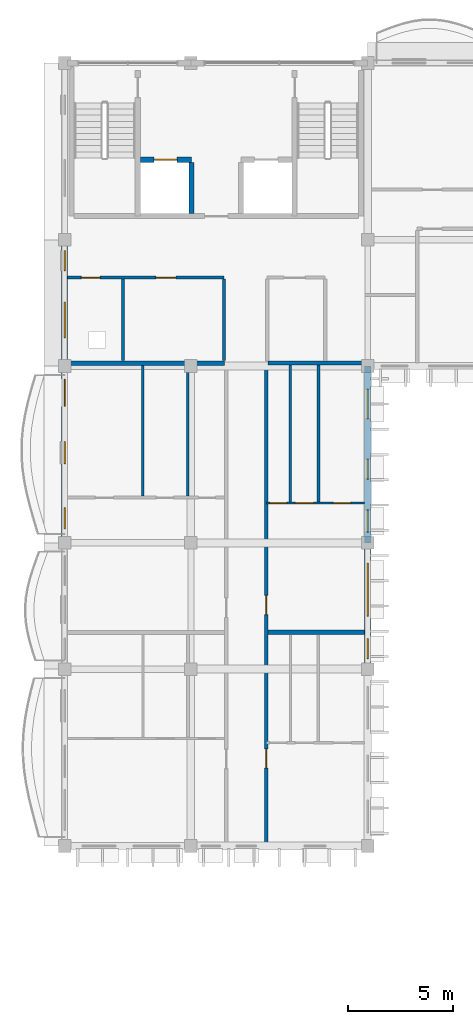
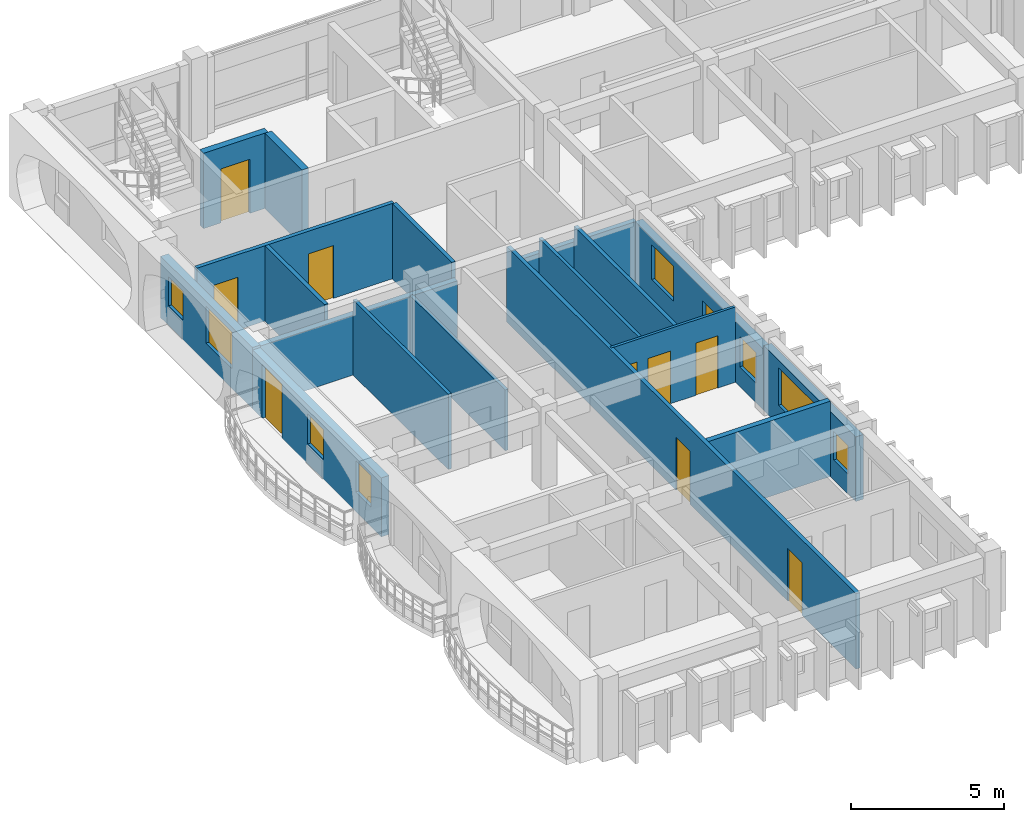
# One storey, part 18 of 59: 18 walls, 9 doors, 9 windows, 18 openings.
"""IFC4 building model written with IfcOpenShell, lengths in metres."""

from ifc_helpers import new_model, si_unit, direction, frame, frame_2d, origin, place, context, subcontext, project, spatial, rectangle, extrude, material, layer, layer_set, type_object, element, fill, save


model = new_model("IFC4")

# Units and contexts
model_context = context("Model", 3, precision=1e-05, world=origin(), true_north=direction((0.0, 1.0)))
body_context = subcontext(model_context, "Body", "Model", "MODEL_VIEW")
ifc_project = project(units=[si_unit("LENGTHUNIT", "METRE"), si_unit("AREAUNIT", "SQUARE_METRE"), si_unit("VOLUMEUNIT", "CUBIC_METRE"), si_unit("PLANEANGLEUNIT", "RADIAN"), si_unit("MASSUNIT", "GRAM", prefix="KILO"), si_unit("THERMODYNAMICTEMPERATUREUNIT", "KELVIN")], contexts=[model_context])

# Site, building, storey
site_placement = place(None, origin())
site = spatial("IfcSite", under=ifc_project, at=site_placement, CompositionType="ELEMENT")
building_placement = place(site_placement, origin())
building = spatial("IfcBuilding", under=site, at=building_placement, Name="Thalorik Housing Commons", CompositionType="ELEMENT")
storey_placement = place(building_placement, frame((0.0, 0.0, 27.89990234375)))
storey = spatial("IfcBuildingStorey", under=building, at=storey_placement, Name="L08", CompositionType="ELEMENT", Elevation=27.89990234375)

# Wall, opening, door
ifc_material_1 = material(Name="Concrete C40/50", Category="concrete")
ifc_layer_1 = layer(ifc_material_1, 0.25, Name="Concrete C40/50", Category="concrete")
ifc_layer_set_1 = layer_set([ifc_layer_1], Name="Concrete C40/50")
wall_type_1 = type_object("IfcWallType", Name="ARC-WAL-CORE-250", PredefinedType="SHEAR", material=ifc_layer_set_1)
wall_1_placement = place(storey_placement, frame((12.0, 119.0, 0.0), z_axis=(0.0, 0.0, 1.0), x_axis=(1.0, 0.0, 0.0)))
wall_1 = element("IfcWall", 1, at=wall_1_placement, inside=storey, type_object=wall_type_1, Name="L08 Lift LF-A1 Front Shaft Wall", PredefinedType="SHEAR", context=body_context, shape_type="SweptSolid", body=[
    extrude(rectangle(XDim=2.425048828125, YDim=0.25, at=frame_2d((1.21240234375, 0.0))), origin(), (0.0, 0.0, 1.0), 3.0),
])
opening_1_placement = place(wall_1_placement, frame((0.64990234375, 0.0, 0.0)))
opening_1 = element("IfcOpeningElement", 2, at=opening_1_placement, cuts=wall_1, Name="Opening LD-LF-A1-L08", PredefinedType="OPENING", context=body_context, shape_type="SweptSolid", body=[
    extrude(rectangle(XDim=1.10009765625, YDim=2.14990234375, at=frame_2d((0.550048828125, 1.074951171875))), frame((0.0, 0.135009765625, 0.0), z_axis=(0.0, -1.0, 0.0), x_axis=(1.0, 0.0, 0.0)), (0.0, 0.0, 1.0), 0.27001953125),
])
ifc_material_2 = material(Name="Steel S355", Category="steel")
door_type_1 = type_object("IfcDoorType", Name="ARC-DR-LIFT-1100", OperationType="NOTDEFINED", PredefinedType="DOOR", material=ifc_material_2)
door_1_placement = place(opening_1_placement, origin())
door_1 = element("IfcDoor", 3, at=door_1_placement, inside=storey, type_object=door_type_1, Name="L08 Lift LF-A1 Landing Door", OperationType="SLIDING_TO_LEFT", OverallHeight=2.14990234375, OverallWidth=1.10009765625, PredefinedType="DOOR", context=body_context, shape_type="SweptSolid", body=[
    extrude(rectangle(XDim=1.10009765625, YDim=2.14990234375, at=frame_2d((0.550048828125, 1.074951171875))), frame((0.0, 0.02490234375, 0.0), z_axis=(0.0, -1.0, 0.0), x_axis=(1.0, 0.0, 0.0)), (0.0, 0.0, 1.0), 0.050048828125),
])
fill(opening_1, door_1)

# Wall
wall_2_placement = place(storey_placement, frame((14.425048828125, 118.875, 0.0), z_axis=(0.0, 0.0, 1.0), x_axis=(0.0, -1.0, 0.0)))
element("IfcWall", 4, at=wall_2_placement, inside=storey, type_object=wall_type_1, Name="L08 Lift 1 Cheek Wall", PredefinedType="SHEAR", context=body_context, shape_type="SweptSolid", body=[
    extrude(rectangle(XDim=2.425048828125, YDim=0.25, at=frame_2d((1.21240234375, 0.0))), origin(), (0.0, 0.0, 1.0), 3.0),
])

# Wall, openings, doors
ifc_material_3 = material(Name="Masonry fire-rated corridor wall", Category="masonry")
ifc_layer_2 = layer(ifc_material_3, 0.14990234375, Name="Masonry fire-rated corridor wall", Category="masonry")
ifc_layer_set_2 = layer_set([ifc_layer_2], Name="Masonry fire-rated corridor wall")
wall_type_2 = type_object("IfcWallType", Name="ARC-WAL-CORR-150", PredefinedType="PARTITIONING", material=ifc_layer_set_2)
wall_3_placement = place(storey_placement, frame((17.97998046875, 86.547119140625, 0.0), z_axis=(0.0, 0.0, 1.0), x_axis=(0.0, 1.0, 0.0)))
wall_3 = element("IfcWall", 5, at=wall_3_placement, inside=storey, type_object=wall_type_2, Name="L08 Block A W Corridor Wall 2", PredefinedType="PARTITIONING", context=body_context, shape_type="SweptSolid", body=[
    extrude(rectangle(XDim=22.79296875, YDim=0.14990234375, at=frame_2d((11.396484375, 0.0))), origin(), (0.0, 0.0, 1.0), 3.0),
])
opening_2_placement = place(wall_3_placement, frame((3.546142578125, 0.0, 0.0)))
opening_2 = element("IfcOpeningElement", 6, at=opening_2_placement, cuts=wall_3, Name="Opening ID-0763", PredefinedType="OPENING", context=body_context, shape_type="SweptSolid", body=[
    extrude(rectangle(XDim=0.919921875, YDim=2.10009765625, at=frame_2d((0.4599609375, 1.050048828125))), frame((0.0, 0.0849609375, 0.0), z_axis=(0.0, -1.0, 0.0), x_axis=(1.0, 0.0, 0.0)), (0.0, 0.0, 1.0), 0.169921875),
])
opening_3_placement = place(wall_3_placement, frame((10.837890625, 0.0, 0.0)))
opening_3 = element("IfcOpeningElement", 7, at=opening_3_placement, cuts=wall_3, Name="Opening ID-0764", PredefinedType="OPENING", context=body_context, shape_type="SweptSolid", body=[
    extrude(rectangle(XDim=0.919921875, YDim=2.10009765625, at=frame_2d((0.4599609375, 1.050048828125))), frame((0.0, 0.0849609375, 0.0), z_axis=(0.0, -1.0, 0.0), x_axis=(1.0, 0.0, 0.0)), (0.0, 0.0, 1.0), 0.169921875),
])
ifc_material_4 = material(Name="Solid core hardwood timber", Category="wood")
door_type_2 = type_object("IfcDoorType", Name="ARC-DR-FD30-920", OperationType="NOTDEFINED", PredefinedType="DOOR", material=ifc_material_4)
door_2_placement = place(opening_2_placement, origin())
door_2 = element("IfcDoor", 8, at=door_2_placement, inside=storey, type_object=door_type_2, Name="L08 Flat AW-1B Entrance Door", OperationType="SINGLE_SWING_RIGHT", OverallHeight=2.10009765625, OverallWidth=0.919921875, PredefinedType="DOOR", context=body_context, shape_type="SweptSolid", body=[
    extrude(rectangle(XDim=0.919921875, YDim=2.10009765625, at=frame_2d((0.4599609375, 1.050048828125))), frame((0.0, 0.02490234375, 0.0), z_axis=(0.0, -1.0, 0.0), x_axis=(1.0, 0.0, 0.0)), (0.0, 0.0, 1.0), 0.050048828125),
])
fill(opening_2, door_2)
door_3_placement = place(opening_3_placement, origin())
door_3 = element("IfcDoor", 9, at=door_3_placement, inside=storey, type_object=door_type_2, Name="L08 Flat AW-2B Entrance Door", OperationType="SINGLE_SWING_LEFT", OverallHeight=2.10009765625, OverallWidth=0.919921875, PredefinedType="DOOR", context=body_context, shape_type="SweptSolid", body=[
    extrude(rectangle(XDim=0.919921875, YDim=2.10009765625, at=frame_2d((0.4599609375, 1.050048828125))), frame((0.0, 0.02490234375, 0.0), z_axis=(0.0, -1.0, 0.0), x_axis=(1.0, 0.0, 0.0)), (0.0, 0.0, 1.0), 0.050048828125),
])
fill(opening_3, door_3)

# Wall, openings, windows
ifc_material_5 = material(Name="White precast concrete C40/50", Category="concrete")
ifc_layer_3 = layer(ifc_material_5, 0.2900390625, Name="White precast concrete C40/50", Category="concrete")
ifc_layer_set_3 = layer_set([ifc_layer_3], Name="White precast concrete C40/50")
wall_type_3 = type_object("IfcWallType", Name="ARC-WAL-EXT-290", PredefinedType="STANDARD", material=ifc_layer_set_3)
wall_4_placement = place(storey_placement, frame((8.39990234375, 115.199951171875, 0.0), z_axis=(0.0, 0.0, 1.0), x_axis=(0.0, -1.0, 0.0)))
wall_4 = element("IfcWall", 10, at=wall_4_placement, inside=storey, type_object=wall_type_3, Name="L08 Exterior Wall WAL-EXT-L08-A-0226", PredefinedType="STANDARD", context=body_context, shape_type="SweptSolid", body=[
    extrude(rectangle(XDim=6.0, YDim=0.2900390625, at=frame_2d((3.0, 0.0))), origin(), (0.0, 0.0, 1.0), 2.445068359375),
])
opening_4_placement = place(wall_4_placement, frame((0.52001953125, 0.0, 0.780029296875)))
opening_4 = element("IfcOpeningElement", 11, at=opening_4_placement, cuts=wall_4, Name="Opening W-43", PredefinedType="OPENING", context=body_context, shape_type="SweptSolid", body=[
    extrude(rectangle(XDim=0.949951171875, YDim=1.14990234375, at=frame_2d((0.47509765625, 0.574951171875))), frame((0.0, 0.155029296875, 0.0), z_axis=(0.0, -1.0, 0.0), x_axis=(1.0, 0.0, 0.0)), (0.0, 0.0, 1.0), 0.31005859375),
])
opening_5_placement = place(wall_4_placement, frame((2.965087890625, 0.0, 0.780029296875)))
opening_5 = element("IfcOpeningElement", 12, at=opening_5_placement, cuts=wall_4, Name="Opening W-55", PredefinedType="OPENING", context=body_context, shape_type="SweptSolid", body=[
    extrude(rectangle(XDim=1.679931640625, YDim=1.4599609375, at=frame_2d((0.83984375, 0.72998046875))), frame((0.0, 0.155029296875, 0.0), z_axis=(0.0, -1.0, 0.0), x_axis=(1.0, 0.0, 0.0)), (0.0, 0.0, 1.0), 0.31005859375),
])
ifc_material_6 = material(Name="Anodised aluminium and solar-control low-E glass", Category="aluminium")
window_type_1 = type_object("IfcWindowType", Name="ARC-WIN-43", PartitioningType="SINGLE_PANEL", PredefinedType="WINDOW", material=ifc_material_6)
window_1_placement = place(opening_4_placement, origin())
window_1 = element("IfcWindow", 13, at=window_1_placement, inside=storey, type_object=window_type_1, Name="L08 Facade Window 403", OverallHeight=1.14990234375, OverallWidth=0.949951171875, PartitioningType="SINGLE_PANEL", PredefinedType="WINDOW", context=body_context, shape_type="SweptSolid", body=[
    extrude(rectangle(XDim=0.949951171875, YDim=1.14990234375, at=frame_2d((0.47509765625, 0.574951171875))), frame((0.0, 0.030029296875, 0.0), z_axis=(0.0, -1.0, 0.0), x_axis=(1.0, 0.0, 0.0)), (0.0, 0.0, 1.0), 0.06005859375),
])
fill(opening_4, window_1)
window_type_2 = type_object("IfcWindowType", Name="ARC-WIN-55", PartitioningType="DOUBLE_PANEL_VERTICAL", PredefinedType="WINDOW", material=ifc_material_6)
window_2_placement = place(opening_5_placement, origin())
window_2 = element("IfcWindow", 14, at=window_2_placement, inside=storey, type_object=window_type_2, Name="L08 Facade Window 404", OverallHeight=1.4599609375, OverallWidth=1.679931640625, PartitioningType="DOUBLE_PANEL_VERTICAL", PredefinedType="WINDOW", context=body_context, shape_type="SweptSolid", body=[
    extrude(rectangle(XDim=1.679931640625, YDim=1.4599609375, at=frame_2d((0.83984375, 0.72998046875))), frame((0.0, 0.030029296875, 0.0), z_axis=(0.0, -1.0, 0.0), x_axis=(1.0, 0.0, 0.0)), (0.0, 0.0, 1.0), 0.06005859375),
])
fill(opening_5, window_2)

# Wall, openings, door, windows
wall_5_placement = place(storey_placement, frame((8.39990234375, 109.199951171875, 0.0), z_axis=(0.0, 0.0, 1.0), x_axis=(0.0, -1.0, 0.0)))
wall_5 = element("IfcWall", 15, at=wall_5_placement, inside=storey, type_object=wall_type_3, Name="L08 Exterior Wall WAL-EXT-L08-A-0227", PredefinedType="STANDARD", context=body_context, shape_type="SweptSolid", body=[
    extrude(rectangle(XDim=8.39990234375, YDim=0.2900390625, at=frame_2d((4.199951171875, 0.0))), origin(), (0.0, 0.0, 1.0), 2.34521484375),
])
opening_6_placement = place(wall_5_placement, frame((0.6201171875, 0.0, 0.0)))
opening_6 = element("IfcOpeningElement", 16, at=opening_6_placement, cuts=wall_5, Name="Opening ED-0072", PredefinedType="OPENING", context=body_context, shape_type="SweptSolid", body=[
    extrude(rectangle(XDim=1.300048828125, YDim=2.14990234375, at=frame_2d((0.64990234375, 1.074951171875))), frame((0.0, 0.155029296875, 0.0), z_axis=(0.0, -1.0, 0.0), x_axis=(1.0, 0.0, 0.0)), (0.0, 0.0, 1.0), 0.31005859375),
])
opening_7_placement = place(wall_5_placement, frame((3.58740234375, 0.0, 0.780029296875)))
opening_7 = element("IfcOpeningElement", 17, at=opening_7_placement, cuts=wall_5, Name="Opening W-44", PredefinedType="OPENING", context=body_context, shape_type="SweptSolid", body=[
    extrude(rectangle(XDim=1.050048828125, YDim=1.199951171875, at=frame_2d((0.52490234375, 0.60009765625))), frame((0.0, 0.155029296875, 0.0), z_axis=(0.0, -1.0, 0.0), x_axis=(1.0, 0.0, 0.0)), (0.0, 0.0, 1.0), 0.31005859375),
])
opening_8_placement = place(wall_5_placement, frame((6.732421875, 0.0, 0.780029296875)))
opening_8 = element("IfcOpeningElement", 18, at=opening_8_placement, cuts=wall_5, Name="Opening W-02", PredefinedType="OPENING", context=body_context, shape_type="SweptSolid", body=[
    extrude(rectangle(XDim=1.0, YDim=1.25, at=frame_2d((0.5, 0.625))), frame((0.0, 0.155029296875, 0.0), z_axis=(0.0, -1.0, 0.0), x_axis=(1.0, 0.0, 0.0)), (0.0, 0.0, 1.0), 0.31005859375),
])
ifc_material_7 = material(Name="Anodised aluminium and laminated safety glass", Category="aluminium")
door_type_3 = type_object("IfcDoorType", Name="ARC-DR-BAL-1300", OperationType="NOTDEFINED", PredefinedType="DOOR", material=ifc_material_7)
door_4_placement = place(opening_6_placement, frame((1.300048828125, 0.0, 0.0), z_axis=(0.0, 0.0, 1.0), x_axis=(-1.0, 0.0, 0.0)))
door_4 = element("IfcDoor", 19, at=door_4_placement, inside=storey, type_object=door_type_3, Name="L08 Block A Balcony Glazed Door", OperationType="SINGLE_SWING_LEFT", OverallHeight=2.14990234375, OverallWidth=1.300048828125, PredefinedType="DOOR", context=body_context, shape_type="SweptSolid", body=[
    extrude(rectangle(XDim=1.300048828125, YDim=2.14990234375, at=frame_2d((0.64990234375, 1.074951171875))), frame((0.0, 0.02490234375, 0.0), z_axis=(0.0, -1.0, 0.0), x_axis=(1.0, 0.0, 0.0)), (0.0, 0.0, 1.0), 0.050048828125),
])
fill(opening_6, door_4)
window_type_3 = type_object("IfcWindowType", Name="ARC-WIN-02", PartitioningType="SINGLE_PANEL", PredefinedType="WINDOW", material=ifc_material_6)
window_3_placement = place(opening_8_placement, origin())
window_3 = element("IfcWindow", 20, at=window_3_placement, inside=storey, type_object=window_type_3, Name="L08 Facade Window 406", OverallHeight=1.25, OverallWidth=1.0, PartitioningType="SINGLE_PANEL", PredefinedType="WINDOW", context=body_context, shape_type="SweptSolid", body=[
    extrude(rectangle(XDim=1.0, YDim=1.25, at=frame_2d((0.5, 0.625))), frame((0.0, 0.030029296875, 0.0), z_axis=(0.0, -1.0, 0.0), x_axis=(1.0, 0.0, 0.0)), (0.0, 0.0, 1.0), 0.06005859375),
])
fill(opening_8, window_3)
window_type_4 = type_object("IfcWindowType", Name="ARC-WIN-44", PartitioningType="SINGLE_PANEL", PredefinedType="WINDOW", material=ifc_material_6)
window_4_placement = place(opening_7_placement, origin())
window_4 = element("IfcWindow", 21, at=window_4_placement, inside=storey, type_object=window_type_4, Name="L08 Facade Window 405", OverallHeight=1.199951171875, OverallWidth=1.050048828125, PartitioningType="SINGLE_PANEL", PredefinedType="WINDOW", context=body_context, shape_type="SweptSolid", body=[
    extrude(rectangle(XDim=1.050048828125, YDim=1.199951171875, at=frame_2d((0.52490234375, 0.60009765625))), frame((0.0, 0.030029296875, 0.0), z_axis=(0.0, -1.0, 0.0), x_axis=(1.0, 0.0, 0.0)), (0.0, 0.0, 1.0), 0.06005859375),
])
fill(opening_7, window_4)

# Wall, openings, windows
wall_6_placement = place(storey_placement, frame((22.800048828125, 94.800048828125, 0.0), z_axis=(0.0, 0.0, 1.0), x_axis=(0.0, 1.0, 0.0)))
wall_6 = element("IfcWall", 22, at=wall_6_placement, inside=storey, type_object=wall_type_3, Name="L08 Exterior Wall WAL-EXT-L08-A-0233", PredefinedType="STANDARD", context=body_context, shape_type="SweptSolid", body=[
    extrude(rectangle(XDim=6.0, YDim=0.2900390625, at=frame_2d((3.0, 0.0))), origin(), (0.0, 0.0, 1.0), 2.5751953125),
])
opening_9_placement = place(wall_6_placement, frame((0.4951171875, 0.0, 0.780029296875)))
opening_9 = element("IfcOpeningElement", 23, at=opening_9_placement, cuts=wall_6, Name="Opening W-43", PredefinedType="OPENING", context=body_context, shape_type="SweptSolid", body=[
    extrude(rectangle(XDim=0.949951171875, YDim=1.14990234375, at=frame_2d((0.47509765625, 0.574951171875))), frame((0.0, 0.155029296875, 0.0), z_axis=(0.0, -1.0, 0.0), x_axis=(1.0, 0.0, 0.0)), (0.0, 0.0, 1.0), 0.31005859375),
])
opening_10_placement = place(wall_6_placement, frame((2.52001953125, 0.0, 0.780029296875)))
opening_10 = element("IfcOpeningElement", 24, at=opening_10_placement, cuts=wall_6, Name="Opening W-72", PredefinedType="OPENING", context=body_context, shape_type="SweptSolid", body=[
    extrude(rectangle(XDim=2.52001953125, YDim=1.5, at=frame_2d((1.260009765625, 0.75))), frame((0.0, 0.155029296875, 0.0), z_axis=(0.0, -1.0, 0.0), x_axis=(1.0, 0.0, 0.0)), (0.0, 0.0, 1.0), 0.31005859375),
])
window_5_placement = place(opening_9_placement, origin())
window_5 = element("IfcWindow", 25, at=window_5_placement, inside=storey, type_object=window_type_1, Name="L08 Facade Window 419", OverallHeight=1.14990234375, OverallWidth=0.949951171875, PartitioningType="SINGLE_PANEL", PredefinedType="WINDOW", context=body_context, shape_type="SweptSolid", body=[
    extrude(rectangle(XDim=0.949951171875, YDim=1.14990234375, at=frame_2d((0.47509765625, 0.574951171875))), frame((0.0, 0.030029296875, 0.0), z_axis=(0.0, -1.0, 0.0), x_axis=(1.0, 0.0, 0.0)), (0.0, 0.0, 1.0), 0.06005859375),
])
fill(opening_9, window_5)
window_type_5 = type_object("IfcWindowType", Name="ARC-WIN-72", PartitioningType="DOUBLE_PANEL_VERTICAL", PredefinedType="WINDOW", material=ifc_material_6)
window_6_placement = place(opening_10_placement, origin())
window_6 = element("IfcWindow", 26, at=window_6_placement, inside=storey, type_object=window_type_5, Name="L08 Facade Window 420", OverallHeight=1.5, OverallWidth=2.52001953125, PartitioningType="DOUBLE_PANEL_VERTICAL", PredefinedType="WINDOW", context=body_context, shape_type="SweptSolid", body=[
    extrude(rectangle(XDim=2.52001953125, YDim=1.5, at=frame_2d((1.260009765625, 0.75))), frame((0.0, 0.030029296875, 0.0), z_axis=(0.0, -1.0, 0.0), x_axis=(1.0, 0.0, 0.0)), (0.0, 0.0, 1.0), 0.06005859375),
])
fill(opening_10, window_6)

wall_7_placement = place(storey_placement, frame((22.800048828125, 100.800048828125, 0.0), z_axis=(0.0, 0.0, 1.0), x_axis=(0.0, 1.0, 0.0)))
wall_7 = element("IfcWall", 27, at=wall_7_placement, inside=storey, type_object=wall_type_3, Name="L08 Exterior Wall WAL-EXT-L08-A-0234", PredefinedType="STANDARD", context=body_context, shape_type="SweptSolid", body=[
    extrude(rectangle(XDim=8.39990234375, YDim=0.2900390625, at=frame_2d((4.199951171875, 0.0))), origin(), (0.0, 0.0, 1.0), 2.425048828125),
])
opening_11_placement = place(wall_7_placement, frame((0.5146484375, 0.0, 0.780029296875)))
opening_11 = element("IfcOpeningElement", 28, at=opening_11_placement, cuts=wall_7, Name="Opening W-44", PredefinedType="OPENING", context=body_context, shape_type="SweptSolid", body=[
    extrude(rectangle(XDim=1.050048828125, YDim=1.199951171875, at=frame_2d((0.52490234375, 0.60009765625))), frame((0.0, 0.155029296875, 0.0), z_axis=(0.0, -1.0, 0.0), x_axis=(1.0, 0.0, 0.0)), (0.0, 0.0, 1.0), 0.31005859375),
])
opening_12_placement = place(wall_7_placement, frame((3.029296875, 0.0, 0.780029296875)))
opening_12 = element("IfcOpeningElement", 29, at=opening_12_placement, cuts=wall_7, Name="Opening W-43", PredefinedType="OPENING", context=body_context, shape_type="SweptSolid", body=[
    extrude(rectangle(XDim=0.949951171875, YDim=1.14990234375, at=frame_2d((0.47509765625, 0.574951171875))), frame((0.0, 0.155029296875, 0.0), z_axis=(0.0, -1.0, 0.0), x_axis=(1.0, 0.0, 0.0)), (0.0, 0.0, 1.0), 0.31005859375),
])
opening_13_placement = place(wall_7_placement, frame((5.884765625, 0.0, 0.780029296875)))
opening_13 = element("IfcOpeningElement", 30, at=opening_13_placement, cuts=wall_7, Name="Opening W-50", PredefinedType="OPENING", context=body_context, shape_type="SweptSolid", body=[
    extrude(rectangle(XDim=1.419921875, YDim=1.3798828125, at=frame_2d((0.7099609375, 0.68994140625))), frame((0.0, 0.155029296875, 0.0), z_axis=(0.0, -1.0, 0.0), x_axis=(1.0, 0.0, 0.0)), (0.0, 0.0, 1.0), 0.31005859375),
])
window_7_placement = place(opening_12_placement, origin())
window_7 = element("IfcWindow", 31, at=window_7_placement, inside=storey, type_object=window_type_1, Name="L08 Facade Window 422", OverallHeight=1.14990234375, OverallWidth=0.949951171875, PartitioningType="SINGLE_PANEL", PredefinedType="WINDOW", context=body_context, shape_type="SweptSolid", body=[
    extrude(rectangle(XDim=0.949951171875, YDim=1.14990234375, at=frame_2d((0.47509765625, 0.574951171875))), frame((0.0, 0.030029296875, 0.0), z_axis=(0.0, -1.0, 0.0), x_axis=(1.0, 0.0, 0.0)), (0.0, 0.0, 1.0), 0.06005859375),
])
fill(opening_12, window_7)
window_8_placement = place(opening_11_placement, origin())
window_8 = element("IfcWindow", 32, at=window_8_placement, inside=storey, type_object=window_type_4, Name="L08 Facade Window 421", OverallHeight=1.199951171875, OverallWidth=1.050048828125, PartitioningType="SINGLE_PANEL", PredefinedType="WINDOW", context=body_context, shape_type="SweptSolid", body=[
    extrude(rectangle(XDim=1.050048828125, YDim=1.199951171875, at=frame_2d((0.52490234375, 0.60009765625))), frame((0.0, 0.030029296875, 0.0), z_axis=(0.0, -1.0, 0.0), x_axis=(1.0, 0.0, 0.0)), (0.0, 0.0, 1.0), 0.06005859375),
])
fill(opening_11, window_8)
window_type_6 = type_object("IfcWindowType", Name="ARC-WIN-50", PartitioningType="SINGLE_PANEL", PredefinedType="WINDOW", material=ifc_material_6)
window_9_placement = place(opening_13_placement, origin())
window_9 = element("IfcWindow", 33, at=window_9_placement, inside=storey, type_object=window_type_6, Name="L08 Facade Window 423", OverallHeight=1.3798828125, OverallWidth=1.419921875, PartitioningType="SINGLE_PANEL", PredefinedType="WINDOW", context=body_context, shape_type="SweptSolid", body=[
    extrude(rectangle(XDim=1.419921875, YDim=1.3798828125, at=frame_2d((0.7099609375, 0.68994140625))), frame((0.0, 0.030029296875, 0.0), z_axis=(0.0, -1.0, 0.0), x_axis=(1.0, 0.0, 0.0)), (0.0, 0.0, 1.0), 0.06005859375),
])
fill(opening_13, window_9)

# Wall, openings, doors
ifc_material_8 = material(Name="Gypsum light stud partition", Category="masonry")
ifc_layer_4 = layer(ifc_material_8, 0.10009765625, Name="Gypsum light stud partition", Category="masonry")
ifc_layer_set_4 = layer_set([ifc_layer_4], Name="Gypsum light stud partition")
wall_type_4 = type_object("IfcWallType", Name="ARC-WAL-PART-100", PredefinedType="PARTITIONING", material=ifc_layer_set_4)
wall_8_placement = place(storey_placement, frame((17.97998046875, 102.689208984375, 0.0), z_axis=(0.0, 0.0, 1.0), x_axis=(1.0, 0.0, 0.0)))
wall_8 = element("IfcWall", 34, at=wall_8_placement, inside=storey, type_object=wall_type_4, Name="L08 Unit 2B Spine Partition", PredefinedType="PARTITIONING", context=body_context, shape_type="SweptSolid", body=[
    extrude(rectangle(XDim=4.673095703125, YDim=0.10009765625, at=frame_2d((2.33642578125, 0.0))), origin(), (0.0, 0.0, 1.0), 3.0),
])
opening_14_placement = place(wall_8_placement, frame((0.171142578125, 0.0, 0.0)))
opening_14 = element("IfcOpeningElement", 35, at=opening_14_placement, cuts=wall_8, Name="Opening ID-0758", PredefinedType="OPENING", context=body_context, shape_type="SweptSolid", body=[
    extrude(rectangle(XDim=0.800048828125, YDim=2.10009765625, at=frame_2d((0.39990234375, 1.050048828125))), frame((0.0, 0.06005859375, 0.0), z_axis=(0.0, -1.0, 0.0), x_axis=(1.0, 0.0, 0.0)), (0.0, 0.0, 1.0), 0.1201171875),
])
opening_15_placement = place(wall_8_placement, frame((1.3837890625, 0.0, 0.0)))
opening_15 = element("IfcOpeningElement", 36, at=opening_15_placement, cuts=wall_8, Name="Opening ID-0759", PredefinedType="OPENING", context=body_context, shape_type="SweptSolid", body=[
    extrude(rectangle(XDim=0.85009765625, YDim=2.10009765625, at=frame_2d((0.425048828125, 1.050048828125))), frame((0.0, 0.06005859375, 0.0), z_axis=(0.0, -1.0, 0.0), x_axis=(1.0, 0.0, 0.0)), (0.0, 0.0, 1.0), 0.1201171875),
])
opening_16_placement = place(wall_8_placement, frame((3.192626953125, 0.0, 0.0)))
opening_16 = element("IfcOpeningElement", 37, at=opening_16_placement, cuts=wall_8, Name="Opening ID-0760", PredefinedType="OPENING", context=body_context, shape_type="SweptSolid", body=[
    extrude(rectangle(XDim=0.820068359375, YDim=2.080078125, at=frame_2d((0.41015625, 1.0400390625))), frame((0.0, 0.06005859375, 0.0), z_axis=(0.0, -1.0, 0.0), x_axis=(1.0, 0.0, 0.0)), (0.0, 0.0, 1.0), 0.1201171875),
])
ifc_material_9 = material(Name="Moisture-resistant timber", Category="wood")
door_type_4 = type_object("IfcDoorType", Name="ARC-DR-INT-800", OperationType="NOTDEFINED", PredefinedType="DOOR", material=ifc_material_9)
door_5_placement = place(opening_14_placement, origin())
door_5 = element("IfcDoor", 38, at=door_5_placement, inside=storey, type_object=door_type_4, Name="L08 Accessible Bathroom Door", OperationType="SINGLE_SWING_LEFT", OverallHeight=2.10009765625, OverallWidth=0.800048828125, PredefinedType="DOOR", context=body_context, shape_type="SweptSolid", body=[
    extrude(rectangle(XDim=0.800048828125, YDim=2.10009765625, at=frame_2d((0.39990234375, 1.050048828125))), frame((0.0, 0.02490234375, 0.0), z_axis=(0.0, -1.0, 0.0), x_axis=(1.0, 0.0, 0.0)), (0.0, 0.0, 1.0), 0.050048828125),
])
fill(opening_14, door_5)
ifc_material_10 = material(Name="Engineered oak timber", Category="wood")
door_type_5 = type_object("IfcDoorType", Name="ARC-DR-INT-820", OperationType="NOTDEFINED", PredefinedType="DOOR", material=ifc_material_10)
door_6_placement = place(opening_16_placement, origin())
door_6 = element("IfcDoor", 39, at=door_6_placement, inside=storey, type_object=door_type_5, Name="L08 Double Bedroom Door", OperationType="SINGLE_SWING_LEFT", OverallHeight=2.080078125, OverallWidth=0.820068359375, PredefinedType="DOOR", context=body_context, shape_type="SweptSolid", body=[
    extrude(rectangle(XDim=0.820068359375, YDim=2.080078125, at=frame_2d((0.41015625, 1.0400390625))), frame((0.0, 0.02490234375, 0.0), z_axis=(0.0, -1.0, 0.0), x_axis=(1.0, 0.0, 0.0)), (0.0, 0.0, 1.0), 0.050048828125),
])
fill(opening_16, door_6)
door_type_6 = type_object("IfcDoorType", Name="ARC-DR-INT-850", OperationType="NOTDEFINED", PredefinedType="DOOR", material=ifc_material_10)
door_7_placement = place(opening_15_placement, origin())
door_7 = element("IfcDoor", 40, at=door_7_placement, inside=storey, type_object=door_type_6, Name="L08 Galley Kitchen Door", OperationType="SINGLE_SWING_RIGHT", OverallHeight=2.10009765625, OverallWidth=0.85009765625, PredefinedType="DOOR", context=body_context, shape_type="SweptSolid", body=[
    extrude(rectangle(XDim=0.85009765625, YDim=2.10009765625, at=frame_2d((0.425048828125, 1.050048828125))), frame((0.0, 0.02490234375, 0.0), z_axis=(0.0, -1.0, 0.0), x_axis=(1.0, 0.0, 0.0)), (0.0, 0.0, 1.0), 0.050048828125),
])
fill(opening_15, door_7)

# Walls
ifc_material_11 = material(Name="Gypsum moisture-resistant partition", Category="masonry")
ifc_layer_5 = layer(ifc_material_11, 0.114990234375, Name="Gypsum moisture-resistant partition", Category="masonry")
ifc_layer_set_5 = layer_set([ifc_layer_5], Name="Gypsum moisture-resistant partition")
wall_type_5 = type_object("IfcWallType", Name="ARC-WAL-PART-115", PredefinedType="PARTITIONING", material=ifc_layer_set_5)
wall_9_placement = place(storey_placement, frame((14.251220703125, 103.01708984375, 0.0), z_axis=(0.0, 0.0, 1.0), x_axis=(0.0, 1.0, 0.0)))
element("IfcWall", 41, at=wall_9_placement, inside=storey, type_object=wall_type_5, Name="L08 Unit 2 Wet Wall", PredefinedType="PARTITIONING", context=body_context, shape_type="SweptSolid", body=[
    extrude(rectangle(XDim=6.2109375, YDim=0.114990234375, at=frame_2d((3.10546875, 0.0))), origin(), (0.0, 0.0, 1.0), 2.425048828125),
])
ifc_material_12 = material(Name="Gypsum acoustic stud partition", Category="masonry")
ifc_layer_6 = layer(ifc_material_12, 0.125, Name="Gypsum acoustic stud partition", Category="masonry")
ifc_layer_set_6 = layer_set([ifc_layer_6], Name="Gypsum acoustic stud partition")
wall_type_6 = type_object("IfcWallType", Name="ARC-WAL-PART-125", PredefinedType="PARTITIONING", material=ifc_layer_set_6)
wall_10_placement = place(storey_placement, frame((12.11767578125, 103.01708984375, 0.0), z_axis=(0.0, 0.0, 1.0), x_axis=(0.0, 1.0, 0.0)))
element("IfcWall", 42, at=wall_10_placement, inside=storey, type_object=wall_type_6, Name="L08 Unit 2 Bedroom Partition", PredefinedType="PARTITIONING", context=body_context, shape_type="SweptSolid", body=[
    extrude(rectangle(XDim=6.2109375, YDim=0.125, at=frame_2d((3.10546875, 0.0))), origin(), (0.0, 0.0, 1.0), 3.0),
])
wall_11_placement = place(storey_placement, frame((19.122314453125, 102.7412109375, 0.0), z_axis=(0.0, 0.0, 1.0), x_axis=(0.0, 1.0, 0.0)))
element("IfcWall", 43, at=wall_11_placement, inside=storey, type_object=wall_type_6, Name="L08 Unit 2B Wet Wall", PredefinedType="PARTITIONING", context=body_context, shape_type="SweptSolid", body=[
    extrude(rectangle(XDim=6.50439453125, YDim=0.125, at=frame_2d((3.252197265625, 0.0))), origin(), (0.0, 0.0, 1.0), 3.0),
])
ifc_material_13 = material(Name="Ceramic masonry partition wall", Category="masonry")
ifc_layer_7 = layer(ifc_material_13, 0.139892578125, Name="Ceramic masonry partition wall", Category="masonry")
ifc_layer_set_7 = layer_set([ifc_layer_7], Name="Ceramic masonry partition wall")
wall_type_7 = type_object("IfcWallType", Name="ARC-WAL-PART-140", PredefinedType="PARTITIONING", material=ifc_layer_set_7)
wall_12_placement = place(storey_placement, frame((20.455078125, 102.7412109375, 0.0), z_axis=(0.0, 0.0, 1.0), x_axis=(0.0, 1.0, 0.0)))
element("IfcWall", 44, at=wall_12_placement, inside=storey, type_object=wall_type_7, Name="L08 Unit 2B Bedroom Partition", PredefinedType="PARTITIONING", context=body_context, shape_type="SweptSolid", body=[
    extrude(rectangle(XDim=6.50439453125, YDim=0.139892578125, at=frame_2d((3.252197265625, 0.0))), origin(), (0.0, 0.0, 1.0), 3.0),
])
ifc_layer_8 = layer(ifc_material_13, 0.14794921875, Name="Ceramic masonry partition wall", Category="masonry")
ifc_layer_set_8 = layer_set([ifc_layer_8], Name="Ceramic masonry partition wall")
wall_type_8 = type_object("IfcWallType", Name="ARC-WAL-PART-150", PredefinedType="PARTITIONING", material=ifc_layer_set_8)
for number, where, z_axis, x_axis, name in (
    (45, (11.175048828125, 113.323974609375, 0.0), (0.0, 0.0, 1.0), (0.0, -1.0, 0.0), "Riser Wall"),
    (46, (15.97509765625, 113.323974609375, 0.0), (0.0, 0.0, 1.0), (0.0, -1.0, 0.0), "Core Stem West Cheek Wall"),
):
    element("IfcWall", number, at=place(storey_placement, frame(where, z_axis=z_axis, x_axis=x_axis)), inside=storey, type_object=wall_type_8, Name=name, PredefinedType="PARTITIONING", context=body_context, shape_type="SweptSolid", body=[
        extrude(rectangle(XDim=3.8720703125, YDim=0.14794921875, at=frame_2d((1.93603515625, 0.0))), origin(), (0.0, 0.0, 1.0), 3.0),
    ])

# Wall, openings, doors
wall_13_placement = place(storey_placement, frame((8.5400390625, 113.39990234375, 0.0), z_axis=(0.0, 0.0, 1.0), x_axis=(1.0, 0.0, 0.0)))
wall_13 = element("IfcWall", 47, at=wall_13_placement, inside=storey, type_object=wall_type_8, Name="L08 Core A West Corridor Partition", PredefinedType="PARTITIONING", context=body_context, shape_type="SweptSolid", body=[
    extrude(rectangle(XDim=7.43505859375, YDim=0.14794921875, at=frame_2d((3.717529296875, 0.0))), origin(), (0.0, 0.0, 1.0), 3.0),
])
opening_17_placement = place(wall_13_placement, frame((0.64990234375, 0.0, 0.0)))
opening_17 = element("IfcOpeningElement", 48, at=opening_17_placement, cuts=wall_13, Name="Opening ID-0078", PredefinedType="OPENING", context=body_context, shape_type="SweptSolid", body=[
    extrude(rectangle(XDim=0.89990234375, YDim=2.10009765625, at=frame_2d((0.449951171875, 1.050048828125))), frame((0.0, 0.083984375, 0.0), z_axis=(0.0, -1.0, 0.0), x_axis=(1.0, 0.0, 0.0)), (0.0, 0.0, 1.0), 0.16796875),
])
opening_18_placement = place(wall_13_placement, frame((4.199951171875, 0.0, 0.0)))
opening_18 = element("IfcOpeningElement", 49, at=opening_18_placement, cuts=wall_13, Name="Opening ID-0079", PredefinedType="OPENING", context=body_context, shape_type="SweptSolid", body=[
    extrude(rectangle(XDim=0.949951171875, YDim=2.10009765625, at=frame_2d((0.47509765625, 1.050048828125))), frame((0.0, 0.083984375, 0.0), z_axis=(0.0, -1.0, 0.0), x_axis=(1.0, 0.0, 0.0)), (0.0, 0.0, 1.0), 0.16796875),
])
door_type_7 = type_object("IfcDoorType", Name="ARC-DR-FD60-900", OperationType="NOTDEFINED", PredefinedType="DOOR", material=ifc_material_2)
door_8_placement = place(opening_17_placement, origin())
door_8 = element("IfcDoor", 50, at=door_8_placement, inside=storey, type_object=door_type_7, Name="Electrical Riser Door", OperationType="SINGLE_SWING_LEFT", OverallHeight=2.10009765625, OverallWidth=0.89990234375, PredefinedType="DOOR", context=body_context, shape_type="SweptSolid", body=[
    extrude(rectangle(XDim=0.89990234375, YDim=2.10009765625, at=frame_2d((0.449951171875, 1.050048828125))), frame((0.0, 0.02490234375, 0.0), z_axis=(0.0, -1.0, 0.0), x_axis=(1.0, 0.0, 0.0)), (0.0, 0.0, 1.0), 0.050048828125),
])
fill(opening_17, door_8)
door_type_8 = type_object("IfcDoorType", Name="ARC-DR-INT-950", OperationType="NOTDEFINED", PredefinedType="DOOR", material=ifc_material_10)
door_9_placement = place(opening_18_placement, origin())
door_9 = element("IfcDoor", 51, at=door_9_placement, inside=storey, type_object=door_type_8, Name="Accessible Bathroom Door", OperationType="SINGLE_SWING_RIGHT", OverallHeight=2.10009765625, OverallWidth=0.949951171875, PredefinedType="DOOR", context=body_context, shape_type="SweptSolid", body=[
    extrude(rectangle(XDim=0.949951171875, YDim=2.10009765625, at=frame_2d((0.47509765625, 1.050048828125))), frame((0.0, 0.02490234375, 0.0), z_axis=(0.0, -1.0, 0.0), x_axis=(1.0, 0.0, 0.0)), (0.0, 0.0, 1.0), 0.050048828125),
])
fill(opening_18, door_9)

# Walls
ifc_material_14 = material(Name="Masonry acoustic blockwork wall", Category="masonry")
ifc_layer_9 = layer(ifc_material_14, 0.18505859375, Name="Masonry acoustic blockwork wall", Category="masonry")
ifc_layer_set_9 = layer_set([ifc_layer_9], Name="Masonry acoustic blockwork wall")
wall_type_9 = type_object("IfcWallType", Name="ARC-WAL-PARTY-185", PredefinedType="PARTITIONING", material=ifc_layer_set_9)
wall_14_placement = place(storey_placement, frame((18.056884765625, 109.340087890625, 0.0), z_axis=(0.0, 0.0, 1.0), x_axis=(1.0, 0.0, 0.0)))
element("IfcWall", 52, at=wall_14_placement, inside=storey, type_object=wall_type_9, Name="L08 Core End Wall B", PredefinedType="PARTITIONING", context=body_context, shape_type="SweptSolid", body=[
    extrude(rectangle(XDim=4.68310546875, YDim=0.18505859375, at=frame_2d((2.341552734375, 0.0))), origin(), (0.0, 0.0, 1.0), 2.375),
])
ifc_material_15 = material(Name="Precast concrete C40/50 acoustic wall", Category="concrete")
ifc_layer_10 = layer(ifc_material_15, 0.199951171875, Name="Precast concrete C40/50 acoustic wall", Category="concrete")
ifc_layer_set_10 = layer_set([ifc_layer_10], Name="Precast concrete C40/50 acoustic wall")
wall_type_10 = type_object("IfcWallType", Name="ARC-WAL-PARTY-200", PredefinedType="PARTITIONING", material=ifc_layer_set_10)
wall_15_placement = place(storey_placement, frame((18.056884765625, 96.550048828125, 0.0), z_axis=(0.0, 0.0, 1.0), x_axis=(1.0, 0.0, 0.0)))
element("IfcWall", 53, at=wall_15_placement, inside=storey, type_object=wall_type_10, Name="L08 Inter-Tenancy Wall 1B", PredefinedType="PARTITIONING", context=body_context, shape_type="SweptSolid", body=[
    extrude(rectangle(XDim=4.59619140625, YDim=0.199951171875, at=frame_2d((2.298095703125, 0.0))), origin(), (0.0, 0.0, 1.0), 3.0),
])
ifc_layer_11 = layer(ifc_material_15, 0.219970703125, Name="Precast concrete C40/50 acoustic wall", Category="concrete")
ifc_layer_set_11 = layer_set([ifc_layer_11], Name="Precast concrete C40/50 acoustic wall")
wall_type_11 = type_object("IfcWallType", Name="ARC-WAL-PARTY-220", PredefinedType="PARTITIONING", material=ifc_layer_set_11)
wall_16_placement = place(storey_placement, frame((8.547119140625, 109.340087890625, 0.0), z_axis=(0.0, 0.0, 1.0), x_axis=(1.0, 0.0, 0.0)))
element("IfcWall", 54, at=wall_16_placement, inside=storey, type_object=wall_type_11, Name="L08 Core End Wall A", PredefinedType="PARTITIONING", context=body_context, shape_type="SweptSolid", body=[
    extrude(rectangle(XDim=7.448486328125, YDim=0.219970703125, at=frame_2d((3.72412109375, 0.0))), origin(), (0.0, 0.0, 1.0), 2.375),
])

save(model, "model.ifc")
